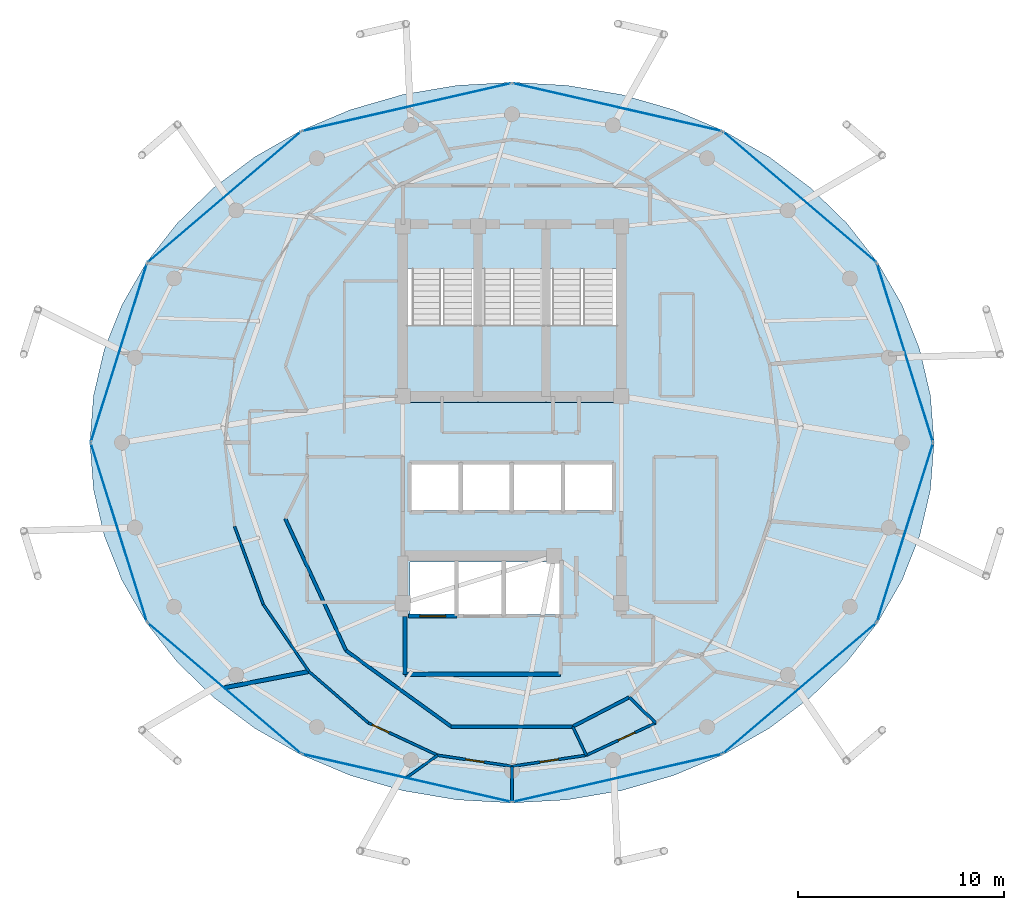
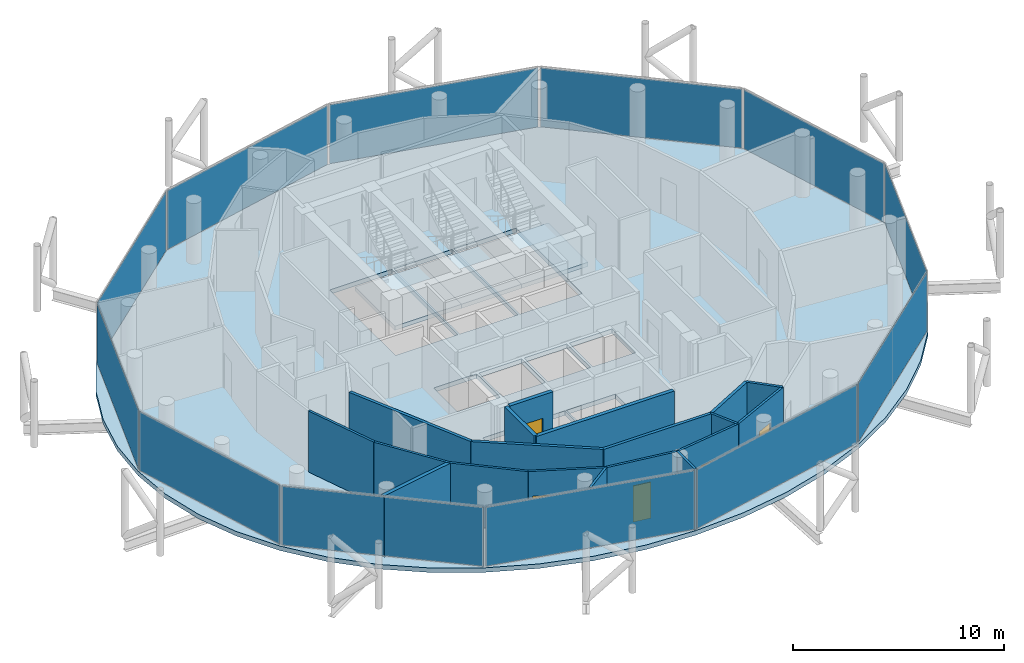
# One storey, part 19 of 24: 19 walls, 12 plates, 5 doors, 4 slabs, 5 openings, 15 elements without a shape of their own.
"""IFC4 building model written with IfcOpenShell, lengths in metres."""

from ifc_helpers import new_model, si_unit, direction, frame, frame_2d, origin, origin_2d, place, context, subcontext, project, spatial, polyline, rectangle, outline, extrude, material, layer, layer_set, type_object, element, fill, aggregate, save


model = new_model("IFC4")

# Units and contexts
model_context = context("Model", 3, precision=1e-05, world=origin(), true_north=direction((0.0, 1.0)))
body_context = subcontext(model_context, "Body", "Model", "MODEL_VIEW")
ifc_project = project(units=[si_unit("LENGTHUNIT", "METRE"), si_unit("AREAUNIT", "SQUARE_METRE"), si_unit("VOLUMEUNIT", "CUBIC_METRE"), si_unit("PLANEANGLEUNIT", "RADIAN"), si_unit("MASSUNIT", "GRAM", prefix="KILO")], contexts=[model_context])

# Site, building, storey
site_placement = place(None, origin())
site = spatial("IfcSite", under=ifc_project, at=site_placement, CompositionType="ELEMENT")
building_placement = place(site_placement, origin())
building = spatial("IfcBuilding", under=site, at=building_placement, Name="Nuhasar Tower", CompositionType="ELEMENT")
storey_placement = place(building_placement, frame((0.0, 0.0, 278.39990234375)))
storey = spatial("IfcBuildingStorey", under=building, at=storey_placement, Name="L69", CompositionType="ELEMENT", Elevation=278.39990234375)

# Curtain wall, plate
ifc_material_1 = material(Name="Aluminium 6063-T6", Category="aluminium")
ifc_layer_1 = layer(ifc_material_1, 0.18994140625)
ifc_layer_set_1 = layer_set([ifc_layer_1], Name="Aluminium 6063-T6")
curtain_wall_type = type_object("IfcCurtainWallType", Name="CW-Z4-PEN", PredefinedType="NOTDEFINED", material=ifc_layer_set_1)
curtain_wall_1_placement = place(storey_placement, origin())
curtain_wall_1 = element("IfcCurtainWall", 1, at=curtain_wall_1_placement, inside=storey, type_object=curtain_wall_type, Name="L69 Unitised Curtain Wall 01", PredefinedType="NOTDEFINED")
ifc_material_2 = material(Name="Glass Double Low-E", Category="glass")
ifc_layer_2 = layer(ifc_material_2, 0.028076171875)
ifc_layer_set_2 = layer_set([ifc_layer_2], Name="Glass Double Low-E")
plate_type = type_object("IfcPlateType", Name="CW-PANEL-GLZ", PredefinedType="CURTAIN_PANEL", material=ifc_layer_set_2)
plate_1_placement = place(storey_placement, frame((58.089599609375, 31.1650390625, 0.06005859375), z_axis=(0.0, 0.0, 1.0), x_axis=(-0.299556614146, 0.954078526601, 0.0)))
plate_1 = element("IfcPlate", 2, at=plate_1_placement, type_object=plate_type, Name="CW-Z4 panel 1.1", PredefinedType="CURTAIN_PANEL", context=body_context, shape_type="SweptSolid", body=[
    extrude(rectangle(XDim=9.0302734375, YDim=0.028076171875, at=origin_2d()), origin(), (0.0, 0.0, 1.0), 3.419921875),
])
aggregate(curtain_wall_1, [plate_1])

curtain_wall_2_placement = place(storey_placement, origin())
curtain_wall_2 = element("IfcCurtainWall", 3, at=curtain_wall_2_placement, inside=storey, type_object=curtain_wall_type, Name="L69 Unitised Curtain Wall 02", PredefinedType="NOTDEFINED")
plate_2_placement = place(storey_placement, frame((52.974609375, 38.7255859375, 0.06005859375), z_axis=(0.0, 0.0, 1.0), x_axis=(-0.760667252327, 0.649141996205, 0.0)))
plate_2 = element("IfcPlate", 4, at=plate_2_placement, type_object=plate_type, Name="CW-Z4 panel 1.1", PredefinedType="CURTAIN_PANEL", context=body_context, shape_type="SweptSolid", body=[
    extrude(rectangle(XDim=9.725341796875, YDim=0.028076171875, at=origin_2d()), origin(), (0.0, 0.0, 1.0), 3.419921875),
])
aggregate(curtain_wall_2, [plate_2])

curtain_wall_3_placement = place(storey_placement, origin())
curtain_wall_3 = element("IfcCurtainWall", 5, at=curtain_wall_3_placement, inside=storey, type_object=curtain_wall_type, Name="L69 Unitised Curtain Wall 03", PredefinedType="NOTDEFINED")
plate_3_placement = place(storey_placement, frame((44.114990234375, 43.090576171875, 0.06005859375), z_axis=(0.0, 0.0, 1.0), x_axis=(-0.97484371891, 0.222889487645, 0.0)))
plate_3 = element("IfcPlate", 6, at=plate_3_placement, type_object=plate_type, Name="CW-Z4 panel 1.1", PredefinedType="CURTAIN_PANEL", context=body_context, shape_type="SweptSolid", body=[
    extrude(rectangle(XDim=10.3740234375, YDim=0.028076171875, at=origin_2d()), origin(), (0.0, 0.0, 1.0), 3.419921875),
])
aggregate(curtain_wall_3, [plate_3])

curtain_wall_4_placement = place(storey_placement, origin())
curtain_wall_4 = element("IfcCurtainWall", 7, at=curtain_wall_4_placement, inside=storey, type_object=curtain_wall_type, Name="L69 Unitised Curtain Wall 04", PredefinedType="NOTDEFINED")
plate_4_placement = place(storey_placement, frame((33.885009765625, 43.090576171875, 0.06005859375), z_axis=(0.0, 0.0, 1.0), x_axis=(-0.97484371891, -0.222889487645, 0.0)))
plate_4 = element("IfcPlate", 8, at=plate_4_placement, type_object=plate_type, Name="CW-Z4 panel 1.1", PredefinedType="CURTAIN_PANEL", context=body_context, shape_type="SweptSolid", body=[
    extrude(rectangle(XDim=10.3740234375, YDim=0.028076171875, at=origin_2d()), origin(), (0.0, 0.0, 1.0), 3.419921875),
])
aggregate(curtain_wall_4, [plate_4])

curtain_wall_5_placement = place(storey_placement, origin())
curtain_wall_5 = element("IfcCurtainWall", 9, at=curtain_wall_5_placement, inside=storey, type_object=curtain_wall_type, Name="L69 Unitised Curtain Wall 05", PredefinedType="NOTDEFINED")
plate_5_placement = place(storey_placement, frame((25.025390625, 38.7255859375, 0.06005859375), z_axis=(0.0, 0.0, 1.0), x_axis=(-0.760667252327, -0.649141996205, 0.0)))
plate_5 = element("IfcPlate", 10, at=plate_5_placement, type_object=plate_type, Name="CW-Z4 panel 1.1", PredefinedType="CURTAIN_PANEL", context=body_context, shape_type="SweptSolid", body=[
    extrude(rectangle(XDim=9.725341796875, YDim=0.028076171875, at=origin_2d()), origin(), (0.0, 0.0, 1.0), 3.419921875),
])
aggregate(curtain_wall_5, [plate_5])

curtain_wall_6_placement = place(storey_placement, origin())
curtain_wall_6 = element("IfcCurtainWall", 11, at=curtain_wall_6_placement, inside=storey, type_object=curtain_wall_type, Name="L69 Unitised Curtain Wall 06", PredefinedType="NOTDEFINED")
plate_6_placement = place(storey_placement, frame((19.910400390625, 31.1650390625, 0.06005859375), z_axis=(0.0, 0.0, 1.0), x_axis=(-0.299556614146, -0.954078526601, 0.0)))
plate_6 = element("IfcPlate", 12, at=plate_6_placement, type_object=plate_type, Name="CW-Z4 panel 1.1", PredefinedType="CURTAIN_PANEL", context=body_context, shape_type="SweptSolid", body=[
    extrude(rectangle(XDim=9.0302734375, YDim=0.028076171875, at=origin_2d()), origin(), (0.0, 0.0, 1.0), 3.419921875),
])
aggregate(curtain_wall_6, [plate_6])

curtain_wall_7_placement = place(storey_placement, origin())
curtain_wall_7 = element("IfcCurtainWall", 13, at=curtain_wall_7_placement, inside=storey, type_object=curtain_wall_type, Name="L69 Unitised Curtain Wall 07", PredefinedType="NOTDEFINED")
plate_7_placement = place(storey_placement, frame((19.910400390625, 22.43505859375, 0.06005859375), z_axis=(0.0, 0.0, 1.0), x_axis=(0.299556614146, -0.954078526601, 0.0)))
plate_7 = element("IfcPlate", 14, at=plate_7_placement, type_object=plate_type, Name="CW-Z4 panel 1.1", PredefinedType="CURTAIN_PANEL", context=body_context, shape_type="SweptSolid", body=[
    extrude(rectangle(XDim=9.0302734375, YDim=0.028076171875, at=origin_2d()), origin(), (0.0, 0.0, 1.0), 3.419921875),
])
aggregate(curtain_wall_7, [plate_7])

curtain_wall_8_placement = place(storey_placement, origin())
curtain_wall_8 = element("IfcCurtainWall", 15, at=curtain_wall_8_placement, inside=storey, type_object=curtain_wall_type, Name="L69 Unitised Curtain Wall 08", PredefinedType="NOTDEFINED")
plate_8_placement = place(storey_placement, frame((25.025390625, 14.87451171875, 0.06005859375), z_axis=(0.0, 0.0, 1.0), x_axis=(0.760667252327, -0.649141996205, 0.0)))
plate_8 = element("IfcPlate", 16, at=plate_8_placement, type_object=plate_type, Name="CW-Z4 panel 1.1", PredefinedType="CURTAIN_PANEL", context=body_context, shape_type="SweptSolid", body=[
    extrude(rectangle(XDim=9.725341796875, YDim=0.028076171875, at=origin_2d()), origin(), (0.0, 0.0, 1.0), 3.419921875),
])
aggregate(curtain_wall_8, [plate_8])

curtain_wall_9_placement = place(storey_placement, origin())
curtain_wall_9 = element("IfcCurtainWall", 17, at=curtain_wall_9_placement, inside=storey, type_object=curtain_wall_type, Name="L69 Unitised Curtain Wall 09", PredefinedType="NOTDEFINED")
plate_9_placement = place(storey_placement, frame((33.885009765625, 10.509521484375, 0.06005859375), z_axis=(0.0, 0.0, 1.0), x_axis=(0.97484371891, -0.222889487645, 0.0)))
plate_9 = element("IfcPlate", 18, at=plate_9_placement, type_object=plate_type, Name="CW-Z4 panel 1.1", PredefinedType="CURTAIN_PANEL", context=body_context, shape_type="SweptSolid", body=[
    extrude(rectangle(XDim=10.3740234375, YDim=0.028076171875, at=origin_2d()), origin(), (0.0, 0.0, 1.0), 3.419921875),
])
aggregate(curtain_wall_9, [plate_9])

curtain_wall_10_placement = place(storey_placement, origin())
curtain_wall_10 = element("IfcCurtainWall", 19, at=curtain_wall_10_placement, inside=storey, type_object=curtain_wall_type, Name="L69 Unitised Curtain Wall 10", PredefinedType="NOTDEFINED")
plate_10_placement = place(storey_placement, frame((44.114990234375, 10.509521484375, 0.06005859375), z_axis=(0.0, 0.0, 1.0), x_axis=(0.97484371891, 0.222889487645, 0.0)))
plate_10 = element("IfcPlate", 20, at=plate_10_placement, type_object=plate_type, Name="CW-Z4 panel 1.1", PredefinedType="CURTAIN_PANEL", context=body_context, shape_type="SweptSolid", body=[
    extrude(rectangle(XDim=10.3740234375, YDim=0.028076171875, at=origin_2d()), origin(), (0.0, 0.0, 1.0), 3.419921875),
])
aggregate(curtain_wall_10, [plate_10])

curtain_wall_11_placement = place(storey_placement, origin())
curtain_wall_11 = element("IfcCurtainWall", 21, at=curtain_wall_11_placement, inside=storey, type_object=curtain_wall_type, Name="L69 Unitised Curtain Wall 11", PredefinedType="NOTDEFINED")
plate_11_placement = place(storey_placement, frame((52.974609375, 14.87451171875, 0.06005859375), z_axis=(0.0, 0.0, 1.0), x_axis=(0.760667252327, 0.649141996205, 0.0)))
plate_11 = element("IfcPlate", 22, at=plate_11_placement, type_object=plate_type, Name="CW-Z4 panel 1.1", PredefinedType="CURTAIN_PANEL", context=body_context, shape_type="SweptSolid", body=[
    extrude(rectangle(XDim=9.725341796875, YDim=0.028076171875, at=origin_2d()), origin(), (0.0, 0.0, 1.0), 3.419921875),
])
aggregate(curtain_wall_11, [plate_11])

curtain_wall_12_placement = place(storey_placement, origin())
curtain_wall_12 = element("IfcCurtainWall", 23, at=curtain_wall_12_placement, inside=storey, type_object=curtain_wall_type, Name="L69 Unitised Curtain Wall 12", PredefinedType="NOTDEFINED")
plate_12_placement = place(storey_placement, frame((58.089599609375, 22.43505859375, 0.06005859375), z_axis=(0.0, 0.0, 1.0), x_axis=(0.299556614146, 0.954078526601, 0.0)))
plate_12 = element("IfcPlate", 24, at=plate_12_placement, type_object=plate_type, Name="CW-Z4 panel 1.1", PredefinedType="CURTAIN_PANEL", context=body_context, shape_type="SweptSolid", body=[
    extrude(rectangle(XDim=9.0302734375, YDim=0.028076171875, at=origin_2d()), origin(), (0.0, 0.0, 1.0), 3.419921875),
])
aggregate(curtain_wall_12, [plate_12])

# Stair, slab
ifc_material_3 = material(Name="Concrete C45/55", Category="concrete")
stair_type_1 = type_object("IfcStairType", Name="STR-ST-01-2F-22R-1727", PredefinedType="HALF_TURN_STAIR", material=ifc_material_3)
stair_1_placement = place(storey_placement, origin())
stair_1 = element("IfcStair", 25, at=stair_1_placement, inside=storey, type_object=stair_type_1, Name="L69 Exit Stair ST-01", PredefinedType="HALF_TURN_STAIR")
ifc_layer_3 = layer(ifc_material_3, 0.239990234375)
ifc_layer_set_3 = layer_set([ifc_layer_3], Name="Concrete C45/55")
slab_type_1 = type_object("IfcSlabType", Name="SLB-STAIR-LND-240", PredefinedType="LANDING", material=ifc_layer_set_3)
slab_1_placement = place(storey_placement, frame((0.0, 0.0, 1.66015625)))
slab_1 = element("IfcSlab", 26, at=slab_1_placement, type_object=slab_type_1, Name="ST-01 landing 1", PredefinedType="LANDING", context=body_context, shape_type="SweptSolid", body=[
    extrude(outline(polyline([(33.699951171875, 28.75), (37.35009765625, 28.75), (37.35009765625, 32.52001953125), (33.699951171875, 32.52001953125), (33.699951171875, 28.75)])), origin(), (0.0, 0.0, 1.0), 0.239990234375),
])
aggregate(stair_1, [slab_1])

stair_type_2 = type_object("IfcStairType", Name="STR-ST-03-2F-22R-1727", PredefinedType="HALF_TURN_STAIR", material=ifc_material_3)
stair_2_placement = place(storey_placement, origin())
stair_2 = element("IfcStair", 27, at=stair_2_placement, inside=storey, type_object=stair_type_2, Name="L69 Exit Stair ST-03", PredefinedType="HALF_TURN_STAIR")
slab_2_placement = place(storey_placement, frame((0.0, 0.0, 1.66015625)))
slab_2 = element("IfcSlab", 28, at=slab_2_placement, type_object=slab_type_1, Name="ST-03 landing 1", PredefinedType="LANDING", context=body_context, shape_type="SweptSolid", body=[
    extrude(outline(polyline([(37.35009765625, 28.75), (40.64990234375, 28.75), (40.64990234375, 32.52001953125), (37.35009765625, 32.52001953125), (37.35009765625, 28.75)])), origin(), (0.0, 0.0, 1.0), 0.239990234375),
])
aggregate(stair_2, [slab_2])

stair_type_3 = type_object("IfcStairType", Name="STR-ST-02-2F-22R-1727", PredefinedType="HALF_TURN_STAIR", material=ifc_material_3)
stair_3_placement = place(storey_placement, origin())
stair_3 = element("IfcStair", 29, at=stair_3_placement, inside=storey, type_object=stair_type_3, Name="L69 Exit Stair ST-02", PredefinedType="HALF_TURN_STAIR")
slab_3_placement = place(storey_placement, frame((0.0, 0.0, 1.66015625)))
slab_3 = element("IfcSlab", 30, at=slab_3_placement, type_object=slab_type_1, Name="ST-02 landing 1", PredefinedType="LANDING", context=body_context, shape_type="SweptSolid", body=[
    extrude(outline(polyline([(40.64990234375, 28.75), (44.300048828125, 28.75), (44.300048828125, 32.52001953125), (40.64990234375, 32.52001953125), (40.64990234375, 28.75)])), origin(), (0.0, 0.0, 1.0), 0.239990234375),
])
aggregate(stair_3, [slab_3])

# Slab
ifc_material_4 = material(Name="Concrete C50/60", Category="concrete")
ifc_layer_4 = layer(ifc_material_4, 0.260009765625)
ifc_layer_set_4 = layer_set([ifc_layer_4], Name="Concrete C50/60")
slab_type_2 = type_object("IfcSlabType", Name="SLB-Z1A-260", PredefinedType="FLOOR", material=ifc_layer_set_4)
slab_4_placement = place(storey_placement, frame((0.0, 0.0, -0.260009765625)))
element("IfcSlab", 31, at=slab_4_placement, inside=storey, type_object=slab_type_2, Name="L69 Structural Slab", PredefinedType="FLOOR", context=body_context, shape_type="SweptSolid", body=[
    extrude(outline(polyline([(59.5, 26.800048828125), (59.324951171875, 29.083984375), (58.801025390625, 31.3291015625), (57.93994140625, 33.4970703125), (56.75390625, 35.550048828125), (55.263916015625, 37.452880859375), (53.49609375, 39.174072265625), (51.47998046875, 40.68408203125), (49.25, 41.955078125), (46.844970703125, 42.968017578125), (44.305908203125, 43.7041015625), (41.676025390625, 44.14990234375), (39.0, 44.300048828125), (36.323974609375, 44.14990234375), (33.694091796875, 43.7041015625), (31.155029296875, 42.968017578125), (28.75, 41.955078125), (26.52001953125, 40.68408203125), (24.50390625, 39.174072265625), (22.736083984375, 37.452880859375), (21.24609375, 35.550048828125), (20.06005859375, 33.4970703125), (19.198974609375, 31.3291015625), (18.675048828125, 29.083984375), (18.5, 26.800048828125), (18.675048828125, 24.51611328125), (19.198974609375, 22.27099609375), (20.06005859375, 20.10302734375), (21.24609375, 18.050048828125), (22.736083984375, 16.14697265625), (24.50390625, 14.426025390625), (26.52001953125, 12.916015625), (28.75, 11.64501953125), (31.155029296875, 10.632080078125), (33.694091796875, 9.89599609375), (36.323974609375, 9.449951171875), (39.0, 9.300048828125), (41.676025390625, 9.449951171875), (44.305908203125, 9.89599609375), (46.844970703125, 10.632080078125), (49.25, 11.64501953125), (51.47998046875, 12.916015625), (53.49609375, 14.426025390625), (55.263916015625, 16.14697265625), (56.75390625, 18.050048828125), (57.93994140625, 20.10302734375), (58.801025390625, 22.27099609375), (59.324951171875, 24.51611328125), (59.5, 26.800048828125)]), holes=[polyline([(33.8798828125, 35.25), (37.300048828125, 35.25), (37.300048828125, 29.0), (33.8798828125, 29.0), (33.8798828125, 35.25)]), polyline([(37.39990234375, 35.25), (40.60009765625, 35.25), (40.60009765625, 29.0), (37.39990234375, 29.0), (37.39990234375, 35.25)]), polyline([(40.699951171875, 35.25), (44.1201171875, 35.25), (44.1201171875, 29.0), (40.699951171875, 29.0), (40.699951171875, 35.25)]), polyline([(34.10009765625, 25.75), (36.43994140625, 25.75), (36.43994140625, 23.5), (34.10009765625, 23.5), (34.10009765625, 25.75)]), polyline([(36.580078125, 25.75), (38.919921875, 25.75), (38.919921875, 23.5), (36.580078125, 23.5), (36.580078125, 25.75)]), polyline([(39.06005859375, 25.75), (41.39990234375, 25.75), (41.39990234375, 23.5), (39.06005859375, 23.5), (39.06005859375, 25.75)]), polyline([(41.5400390625, 25.75), (43.8798828125, 25.75), (43.8798828125, 23.5), (41.5400390625, 23.5), (41.5400390625, 25.75)]), polyline([(34.050048828125, 21.0), (36.25, 21.0), (36.25, 18.449951171875), (34.050048828125, 18.449951171875), (34.050048828125, 21.0)]), polyline([(36.35009765625, 21.0), (38.550048828125, 21.0), (38.550048828125, 18.449951171875), (36.35009765625, 18.449951171875), (36.35009765625, 21.0)]), polyline([(38.64990234375, 21.0), (41.320068359375, 21.0), (41.320068359375, 18.449951171875), (38.64990234375, 18.449951171875), (38.64990234375, 21.0)])]), origin(), (0.0, 0.0, 1.0), 0.260009765625),
])

# Walls
ifc_material_5 = material(Name="Gypsum Board", Category="gypsum")
ifc_layer_5 = layer(ifc_material_5, 0.159912109375)
ifc_layer_set_5 = layer_set([ifc_layer_5], Name="Gypsum Board")
wall_type_1 = type_object("IfcWallType", Name="WL-CORR-160", PredefinedType="PARTITIONING", material=ifc_layer_set_5)
wall_1_placement = place(storey_placement, frame((27.988037109375, 23.10400390625, 0.0), z_axis=(0.0, 0.0, 1.0), x_axis=(0.418656179426, -0.908144814128, 0.0)))
element("IfcWall", 32, at=wall_1_placement, inside=storey, type_object=wall_type_1, Name="L69 Interior Partition UWEST-CORE-S1-26", PredefinedType="PARTITIONING", context=body_context, shape_type="SweptSolid", body=[
    extrude(rectangle(XDim=7.048583984375, YDim=0.159912109375, at=frame_2d((3.5244140625, 0.0))), origin(), (0.0, 0.0, 1.0), 3.5400390625),
])
wall_2_placement = place(storey_placement, frame((30.93896484375, 16.702880859375, 0.0), z_axis=(0.0, 0.0, 1.0), x_axis=(0.810290119061, -0.586028943784, 0.0)))
element("IfcWall", 33, at=wall_2_placement, inside=storey, type_object=wall_type_1, Name="L69 Interior Partition UWEST-CORE-S1-30", PredefinedType="PARTITIONING", context=body_context, shape_type="SweptSolid", body=[
    extrude(rectangle(XDim=6.306396484375, YDim=0.159912109375, at=frame_2d((3.1533203125, 0.0))), origin(), (0.0, 0.0, 1.0), 3.5400390625),
])
wall_3_placement = place(storey_placement, frame((36.049072265625, 13.007080078125, 0.0), z_axis=(0.0, 0.0, 1.0), x_axis=(1.0, 0.0, 0.0)))
element("IfcWall", 34, at=wall_3_placement, inside=storey, type_object=wall_type_1, Name="L69 Interior Partition UWEST-CORE-S1-34", PredefinedType="PARTITIONING", context=body_context, shape_type="SweptSolid", body=[
    extrude(rectangle(XDim=5.90185546875, YDim=0.159912109375, at=frame_2d((2.950927734375, 0.0))), origin(), (0.0, 0.0, 1.0), 3.5400390625),
])
wall_4_placement = place(storey_placement, frame((41.950927734375, 13.007080078125, 0.0), z_axis=(0.0, 0.0, 1.0), x_axis=(0.887674575788, 0.460471331898, 0.0)))
element("IfcWall", 35, at=wall_4_placement, inside=storey, type_object=wall_type_1, Name="L69 Interior Partition UWEST-CORE-S1-38", PredefinedType="PARTITIONING", context=body_context, shape_type="SweptSolid", body=[
    extrude(rectangle(XDim=3.096923828125, YDim=0.159912109375, at=frame_2d((1.54833984375, 0.0))), origin(), (0.0, 0.0, 1.0), 3.5400390625),
])
ifc_layer_6 = layer(ifc_material_3, 0.199951171875)
ifc_layer_set_6 = layer_set([ifc_layer_6], Name="Concrete C45/55")
wall_type_2 = type_object("IfcWallType", Name="WL-LOBBY-200", PredefinedType="SOLIDWALL", material=ifc_layer_set_6)
wall_5_placement = place(storey_placement, frame((33.800048828125, 15.550048828125, 0.0), z_axis=(0.0, 0.0, 1.0), x_axis=(1.0, 0.0, 0.0)))
element("IfcWall", 36, at=wall_5_placement, inside=storey, type_object=wall_type_2, Name="L69 Interior Partition FFL-S", PredefinedType="SOLIDWALL", context=body_context, shape_type="SweptSolid", body=[
    extrude(rectangle(XDim=7.550048828125, YDim=0.199951171875, at=frame_2d((3.77490234375, 0.0))), origin(), (0.0, 0.0, 1.0), 3.5400390625),
])
wall_6_placement = place(storey_placement, frame((33.800048828125, 15.550048828125, 0.0), z_axis=(0.0, 0.0, 1.0), x_axis=(0.0, 1.0, 0.0)))
element("IfcWall", 37, at=wall_6_placement, inside=storey, type_object=wall_type_2, Name="L69 Interior Partition FFL-W", PredefinedType="SOLIDWALL", context=body_context, shape_type="SweptSolid", body=[
    extrude(rectangle(XDim=2.800048828125, YDim=0.199951171875, at=frame_2d((1.39990234375, 0.0))), origin(), (0.0, 0.0, 1.0), 3.5400390625),
])
ifc_layer_7 = layer(ifc_material_5, 0.125)
ifc_layer_set_7 = layer_set([ifc_layer_7], Name="Gypsum Board")
wall_type_3 = type_object("IfcWallType", Name="WL-PART-125", PredefinedType="PARTITIONING", material=ifc_layer_set_7)
wall_7_placement = place(storey_placement, frame((25.52490234375, 22.73095703125, 0.0), z_axis=(0.0, 0.0, 1.0), x_axis=(0.345128286029, -0.938555521097, 0.0)))
element("IfcWall", 38, at=wall_7_placement, inside=storey, type_object=wall_type_3, Name="L69 Interior Partition USM-1-D-26", PredefinedType="PARTITIONING", context=body_context, shape_type="SweptSolid", body=[
    extrude(rectangle(XDim=4.039306640625, YDim=0.125, at=frame_2d((2.01953125, 0.0))), origin(), (0.0, 0.0, 1.0), 3.5400390625),
])
wall_8_placement = place(storey_placement, frame((26.9189453125, 18.93994140625, 0.0), z_axis=(0.0, 0.0, 1.0), x_axis=(0.562840533245, -0.826565505049, 0.0)))
element("IfcWall", 39, at=wall_8_placement, inside=storey, type_object=wall_type_3, Name="L69 Interior Partition USM-1-D-28", PredefinedType="PARTITIONING", context=body_context, shape_type="SweptSolid", body=[
    extrude(rectangle(XDim=3.93896484375, YDim=0.125, at=frame_2d((1.969482421875, 0.0))), origin(), (0.0, 0.0, 1.0), 3.5400390625),
])

# Wall, opening, door
wall_9_placement = place(storey_placement, frame((45.97509765625, 13.18603515625, 0.0), z_axis=(0.0, 0.0, 1.0), x_axis=(-0.906162977721, -0.422928667517, 0.0)))
wall_9 = element("IfcWall", 40, at=wall_9_placement, inside=storey, type_object=wall_type_3, Name="L69 Interior Partition USM-2-K-38", PredefinedType="PARTITIONING", context=body_context, shape_type="SweptSolid", body=[
    extrude(rectangle(XDim=3.71240234375, YDim=0.125, at=frame_2d((1.856201171875, 0.0))), origin(), (0.0, 0.0, 1.0), 3.5400390625),
])
opening_1_placement = place(wall_9_placement, frame((1.10400390625, 0.0, 0.0)))
opening_1 = element("IfcOpeningElement", 41, at=opening_1_placement, cuts=wall_9, Name="Opening DR-01", PredefinedType="OPENING", context=body_context, shape_type="SweptSolid", body=[
    extrude(rectangle(XDim=0.89990234375, YDim=2.10009765625, at=frame_2d((0.449951171875, 1.050048828125))), frame((0.0, 0.072509765625, 0.0), z_axis=(0.0, -1.0, 0.0), x_axis=(1.0, 0.0, 0.0)), (0.0, 0.0, 1.0), 0.14501953125),
])
ifc_material_6 = material(Name="Timber Oak", Category="wood")
door_type_1 = type_object("IfcDoorType", Name="DR-ROOM-900", OperationType="NOTDEFINED", PredefinedType="DOOR", material=ifc_material_6)
door_1_placement = place(opening_1_placement, origin())
door_1 = element("IfcDoor", 42, at=door_1_placement, inside=storey, type_object=door_type_1, Name="L69 South-West Sky Home Kitchen Door", OperationType="SINGLE_SWING_LEFT", OverallHeight=2.10009765625, OverallWidth=0.89990234375, PredefinedType="DOOR", context=body_context, shape_type="SweptSolid", body=[
    extrude(rectangle(XDim=0.89990234375, YDim=2.10009765625, at=frame_2d((0.449951171875, 1.050048828125))), frame((0.0, 0.02490234375, 0.0), z_axis=(0.0, -1.0, 0.0), x_axis=(1.0, 0.0, 0.0)), (0.0, 0.0, 1.0), 0.050048828125),
])
fill(opening_1, door_1)

# Walls
wall_10_placement = place(storey_placement, frame((41.950927734375, 13.007080078125, 0.0), z_axis=(0.0, 0.0, 1.0), x_axis=(0.428726905473, -0.903434137347, 0.0)))
element("IfcWall", 43, at=wall_10_placement, inside=storey, type_object=wall_type_3, Name="L69 Interior Partition USI-2-DK", PredefinedType="PARTITIONING", context=body_context, shape_type="SweptSolid", body=[
    extrude(rectangle(XDim=1.539794921875, YDim=0.125, at=frame_2d((0.77001953125, 0.0))), origin(), (0.0, 0.0, 1.0), 3.5400390625),
])
wall_11_placement = place(storey_placement, frame((29.135986328125, 15.68408203125, 0.0), z_axis=(0.0, 0.0, 1.0), x_axis=(0.756424716633, -0.654080765706, 0.0)))
element("IfcWall", 44, at=wall_11_placement, inside=storey, type_object=wall_type_3, Name="L69 Interior Partition USM-2-D-30", PredefinedType="PARTITIONING", context=body_context, shape_type="SweptSolid", body=[
    extrude(rectangle(XDim=3.819091796875, YDim=0.125, at=frame_2d((1.90966796875, 0.0))), origin(), (0.0, 0.0, 1.0), 3.5400390625),
])

# Wall, opening, door
wall_12_placement = place(storey_placement, frame((35.388916015625, 11.615966796875, 0.0), z_axis=(0.0, 0.0, 1.0), x_axis=(-0.906162977721, 0.422928667517, 0.0)))
wall_12 = element("IfcWall", 45, at=wall_12_placement, inside=storey, type_object=wall_type_3, Name="L69 Interior Partition USM-2-D-32", PredefinedType="PARTITIONING", context=body_context, shape_type="SweptSolid", body=[
    extrude(rectangle(XDim=3.71240234375, YDim=0.125, at=frame_2d((1.856201171875, 0.0))), origin(), (0.0, 0.0, 1.0), 3.5400390625),
])
opening_2_placement = place(wall_12_placement, frame((2.612060546875, 0.0, 0.0)))
opening_2 = element("IfcOpeningElement", 46, at=opening_2_placement, cuts=wall_12, Name="Opening DR-01", PredefinedType="OPENING", context=body_context, shape_type="SweptSolid", body=[
    extrude(rectangle(XDim=0.89990234375, YDim=2.10009765625, at=frame_2d((0.449951171875, 1.050048828125))), frame((0.0, 0.072509765625, 0.0), z_axis=(0.0, -1.0, 0.0), x_axis=(1.0, 0.0, 0.0)), (0.0, 0.0, 1.0), 0.14501953125),
])
door_2_placement = place(opening_2_placement, origin())
door_2 = element("IfcDoor", 47, at=door_2_placement, inside=storey, type_object=door_type_1, Name="L69 South-West Sky Home Living Door", OperationType="SINGLE_SWING_RIGHT", OverallHeight=2.10009765625, OverallWidth=0.89990234375, PredefinedType="DOOR", context=body_context, shape_type="SweptSolid", body=[
    extrude(rectangle(XDim=0.89990234375, YDim=2.10009765625, at=frame_2d((0.449951171875, 1.050048828125))), frame((0.0, 0.02490234375, 0.0), z_axis=(0.0, -1.0, 0.0), x_axis=(1.0, 0.0, 0.0)), (0.0, 0.0, 1.0), 0.050048828125),
])
fill(opening_2, door_2)

wall_13_placement = place(storey_placement, frame((39.0, 11.080078125, 0.0), z_axis=(0.0, 0.0, 1.0), x_axis=(-0.989167166266, 0.146793450744, 0.0)))
wall_13 = element("IfcWall", 48, at=wall_13_placement, inside=storey, type_object=wall_type_3, Name="L69 Interior Partition USM-2-D-34", PredefinedType="PARTITIONING", context=body_context, shape_type="SweptSolid", body=[
    extrude(rectangle(XDim=3.650634765625, YDim=0.125, at=frame_2d((1.8251953125, 0.0))), origin(), (0.0, 0.0, 1.0), 3.5400390625),
])
opening_3_placement = place(wall_13_placement, frame((1.375, 0.0, 0.0)))
opening_3 = element("IfcOpeningElement", 49, at=opening_3_placement, cuts=wall_13, Name="Opening DR-01", PredefinedType="OPENING", context=body_context, shape_type="SweptSolid", body=[
    extrude(rectangle(XDim=0.89990234375, YDim=2.10009765625, at=frame_2d((0.449951171875, 1.050048828125))), frame((0.0, 0.072509765625, 0.0), z_axis=(0.0, -1.0, 0.0), x_axis=(1.0, 0.0, 0.0)), (0.0, 0.0, 1.0), 0.14501953125),
])
door_3_placement = place(opening_3_placement, origin())
door_3 = element("IfcDoor", 50, at=door_3_placement, inside=storey, type_object=door_type_1, Name="L69 South-West Sky Home Study Door", OperationType="SINGLE_SWING_LEFT", OverallHeight=2.10009765625, OverallWidth=0.89990234375, PredefinedType="DOOR", context=body_context, shape_type="SweptSolid", body=[
    extrude(rectangle(XDim=0.89990234375, YDim=2.10009765625, at=frame_2d((0.449951171875, 1.050048828125))), frame((0.0, 0.02490234375, 0.0), z_axis=(0.0, -1.0, 0.0), x_axis=(1.0, 0.0, 0.0)), (0.0, 0.0, 1.0), 0.050048828125),
])
fill(opening_3, door_3)

wall_14_placement = place(storey_placement, frame((42.611083984375, 11.615966796875, 0.0), z_axis=(0.0, 0.0, 1.0), x_axis=(-0.989167166266, -0.146793450744, 0.0)))
wall_14 = element("IfcWall", 51, at=wall_14_placement, inside=storey, type_object=wall_type_3, Name="L69 Interior Partition USM-2-D-36", PredefinedType="PARTITIONING", context=body_context, shape_type="SweptSolid", body=[
    extrude(rectangle(XDim=3.650634765625, YDim=0.125, at=frame_2d((1.8251953125, 0.0))), origin(), (0.0, 0.0, 1.0), 3.5400390625),
])
opening_4_placement = place(wall_14_placement, frame((1.375, 0.0, 0.0)))
opening_4 = element("IfcOpeningElement", 52, at=opening_4_placement, cuts=wall_14, Name="Opening DR-01", PredefinedType="OPENING", context=body_context, shape_type="SweptSolid", body=[
    extrude(rectangle(XDim=0.89990234375, YDim=2.10009765625, at=frame_2d((0.449951171875, 1.050048828125))), frame((0.0, 0.072509765625, 0.0), z_axis=(0.0, -1.0, 0.0), x_axis=(1.0, 0.0, 0.0)), (0.0, 0.0, 1.0), 0.14501953125),
])
door_4_placement = place(opening_4_placement, origin())
door_4 = element("IfcDoor", 53, at=door_4_placement, inside=storey, type_object=door_type_1, Name="L69 South-West Sky Home Master Bedroom Door", OperationType="SINGLE_SWING_RIGHT", OverallHeight=2.10009765625, OverallWidth=0.89990234375, PredefinedType="DOOR", context=body_context, shape_type="SweptSolid", body=[
    extrude(rectangle(XDim=0.89990234375, YDim=2.10009765625, at=frame_2d((0.449951171875, 1.050048828125))), frame((0.0, 0.02490234375, 0.0), z_axis=(0.0, -1.0, 0.0), x_axis=(1.0, 0.0, 0.0)), (0.0, 0.0, 1.0), 0.050048828125),
])
fill(opening_4, door_4)

# Walls
wall_15_placement = place(storey_placement, frame((35.388916015625, 11.615966796875, 0.0), z_axis=(0.0, 0.0, 1.0), x_axis=(-0.812386585373, -0.58311922958, 0.0)))
element("IfcWall", 54, at=wall_15_placement, inside=storey, type_object=wall_type_3, Name="L69 Interior Partition USO-2-B1", PredefinedType="PARTITIONING", context=body_context, shape_type="SweptSolid", body=[
    extrude(rectangle(XDim=1.840087890625, YDim=0.125, at=frame_2d((0.919921875, 0.0))), origin(), (0.0, 0.0, 1.0), 3.5400390625),
])
wall_16_placement = place(storey_placement, frame((39.0, 11.080078125, 0.0), z_axis=(0.0, 0.0, 1.0), x_axis=(0.0, -1.0, 0.0)))
element("IfcWall", 55, at=wall_16_placement, inside=storey, type_object=wall_type_3, Name="L69 Interior Partition USO-2-B2", PredefinedType="PARTITIONING", context=body_context, shape_type="SweptSolid", body=[
    extrude(rectangle(XDim=1.705078125, YDim=0.125, at=frame_2d((0.8525390625, 0.0))), origin(), (0.0, 0.0, 1.0), 3.5400390625),
])

# Wall, opening, door
ifc_layer_8 = layer(ifc_material_3, 0.199951171875)
ifc_layer_set_8 = layer_set([ifc_layer_8], Name="Concrete C45/55")
wall_type_4 = type_object("IfcWallType", Name="WL-SHAFT-200", PredefinedType="SOLIDWALL", material=ifc_layer_set_8)
wall_17_placement = place(storey_placement, frame((33.969970703125, 18.3701171875, 0.0), z_axis=(0.0, 0.0, 1.0), x_axis=(1.0, 0.0, 0.0)))
wall_17 = element("IfcWall", 56, at=wall_17_placement, inside=storey, type_object=wall_type_4, Name="L69 Interior Partition SHF-FFL-01-S", PredefinedType="SOLIDWALL", context=body_context, shape_type="SweptSolid", body=[
    extrude(rectangle(XDim=2.360107421875, YDim=0.199951171875, at=frame_2d((1.18017578125, 0.0))), origin(), (0.0, 0.0, 1.0), 3.5400390625),
])
opening_5_placement = place(wall_17_placement, frame((0.554931640625, 0.0, 0.0)))
opening_5 = element("IfcOpeningElement", 57, at=opening_5_placement, cuts=wall_17, Name="Opening LD-F01", PredefinedType="OPENING", context=body_context, shape_type="SweptSolid", body=[
    extrude(rectangle(XDim=1.25, YDim=2.199951171875, at=frame_2d((0.625, 1.10009765625))), frame((0.0, 0.10986328125, 0.0), z_axis=(0.0, -1.0, 0.0), x_axis=(1.0, 0.0, 0.0)), (0.0, 0.0, 1.0), 0.219970703125),
])
ifc_material_7 = material(Name="Stainless Steel 316L", Category="steel")
door_type_2 = type_object("IfcDoorType", Name="LD-FFL-1250", OperationType="DOUBLE_DOOR_SLIDING", PredefinedType="DOOR", material=ifc_material_7)
door_5_placement = place(opening_5_placement, origin())
door_5 = element("IfcDoor", 58, at=door_5_placement, inside=storey, type_object=door_type_2, Name="L69 Lift Landing Door FFL-01", OperationType="DOUBLE_DOOR_SLIDING", OverallHeight=2.199951171875, OverallWidth=1.25, PredefinedType="DOOR", context=body_context, shape_type="SweptSolid", body=[
    extrude(rectangle(XDim=1.25, YDim=2.199951171875, at=frame_2d((0.625, 1.10009765625))), frame((0.0, 0.02490234375, 0.0), z_axis=(0.0, -1.0, 0.0), x_axis=(1.0, 0.0, 0.0)), (0.0, 0.0, 1.0), 0.050048828125),
])
fill(opening_5, door_5)

# Walls
ifc_material_8 = material(Name="Concrete C40/50 precast", Category="concrete")
ifc_layer_9 = layer(ifc_material_8, 0.199951171875)
ifc_layer_set_9 = layer_set([ifc_layer_9], Name="Concrete C40/50 precast")
wall_type_5 = type_object("IfcWallType", Name="WL-UNIT-200", PredefinedType="PARTITIONING", material=ifc_layer_set_9)
wall_18_placement = place(storey_placement, frame((29.135986328125, 15.68408203125, 0.0), z_axis=(0.0, 0.0, 1.0), x_axis=(-0.982041578383, -0.188664618643, 0.0)))
element("IfcWall", 59, at=wall_18_placement, inside=storey, type_object=wall_type_5, Name="L69 Interior Partition UWEST-PARTY-OUT", PredefinedType="PARTITIONING", context=body_context, shape_type="SweptSolid", body=[
    extrude(rectangle(XDim=4.16162109375, YDim=0.199951171875, at=frame_2d((2.080810546875, 0.0))), origin(), (0.0, 0.0, 1.0), 3.5400390625),
])
ifc_layer_10 = layer(ifc_material_8, 0.139892578125)
ifc_layer_set_10 = layer_set([ifc_layer_10], Name="Concrete C40/50 precast")
wall_type_6 = type_object("IfcWallType", Name="WL-WET-140", PredefinedType="PARTITIONING", material=ifc_layer_set_10)
wall_19_placement = place(storey_placement, frame((44.699951171875, 14.43310546875, 0.0), z_axis=(0.0, 0.0, 1.0), x_axis=(0.714933679917, -0.699192272069, 0.0)))
element("IfcWall", 60, at=wall_19_placement, inside=storey, type_object=wall_type_6, Name="L69 Interior Partition USI-2-KB", PredefinedType="PARTITIONING", context=body_context, shape_type="SweptSolid", body=[
    extrude(rectangle(XDim=1.78369140625, YDim=0.139892578125, at=frame_2d((0.891845703125, 0.0))), origin(), (0.0, 0.0, 1.0), 3.5400390625),
])

save(model, "model.ifc")
